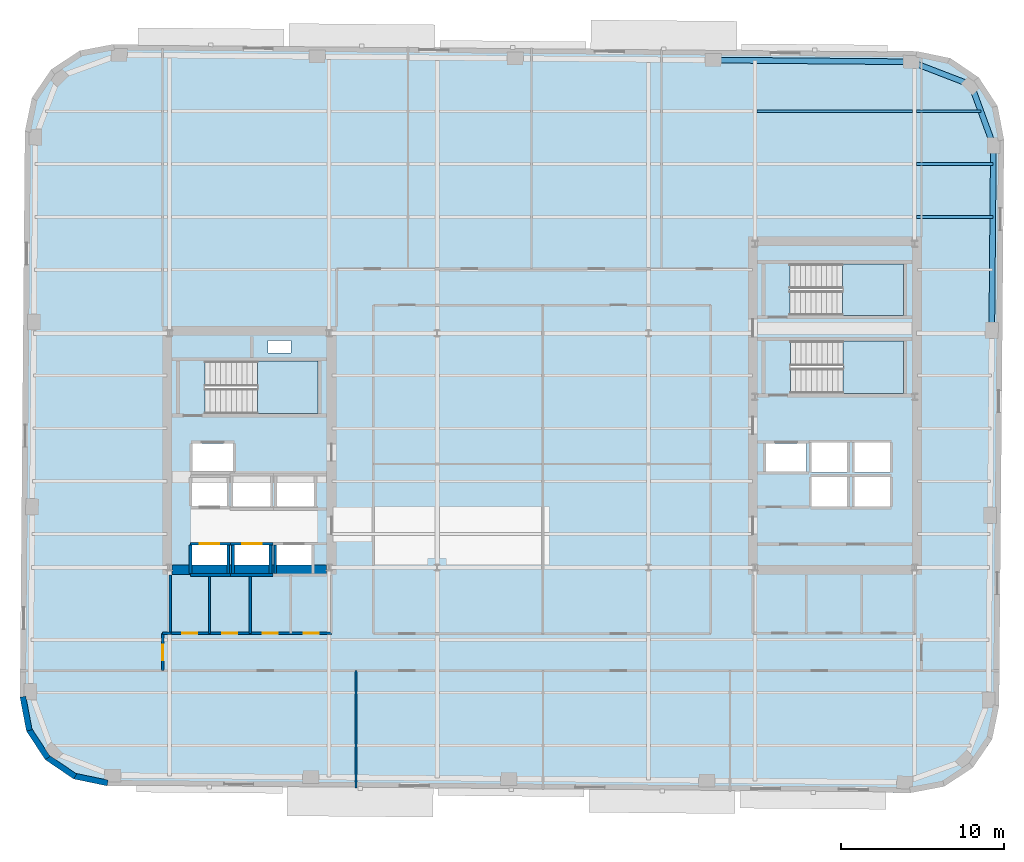
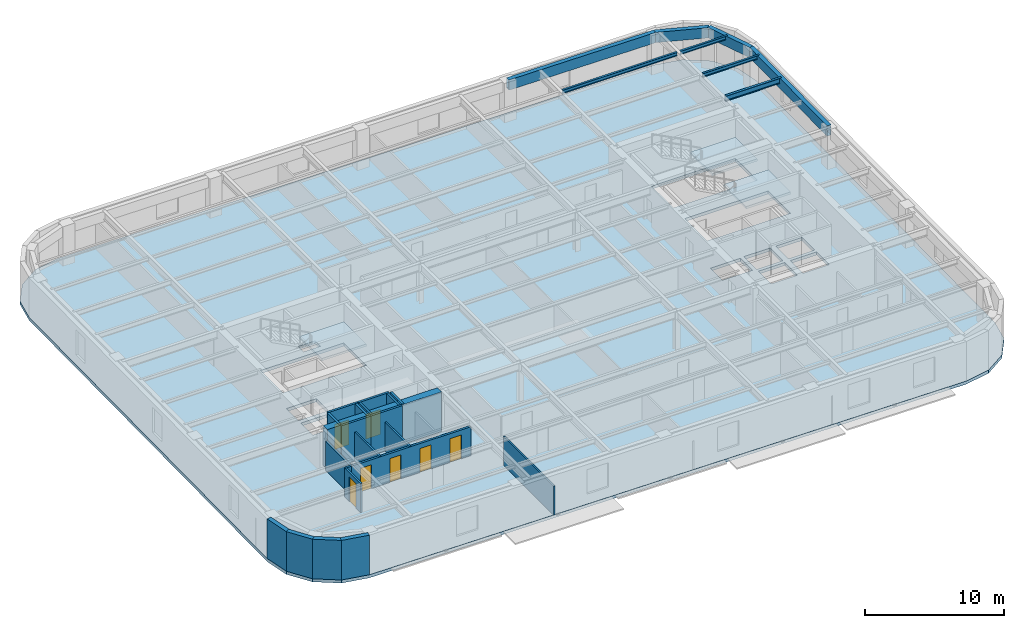
# One storey, part 3 of 11: 21 walls, 8 beams, 7 doors, 4 slabs, 7 openings, 3 elements without a shape of their own.
"""IFC4 building model written with IfcOpenShell, lengths in metres."""

import ifcopenshell
import ifcopenshell.guid

model = None  # the IFC model being written
_history = None  # IfcOwnerHistory: only IFC2X3 demands one
_inside = {}  # id of a spatial element -> (the spatial element, [elements in it])
_under = {}  # id of a project, library or spatial element -> (it, [spatial elements below it])
_declared = {}  # id of a project -> (the project, [libraries it declares])
_typed = {}  # id of a type object -> (the type object, [elements of that type])
_made_of = {}  # id of a material, layer set ... -> (it, [elements and type objects made of it])


def new_model(schema):
    """Start an empty IFC model of exactly this schema.

    Asked for "IFC4X3", IfcOpenShell would pick the latest addendum, in which some entities
    have other attributes; the version numbers below select the first issue.
    IFC2X3 requires an IfcOwnerHistory on every rooted entity: one is made here for all.
    """
    global model, _history
    if schema == "IFC4X3":
        model = ifcopenshell.file(schema_version=(4, 3, 0, 0))
    else:
        model = ifcopenshell.file(schema=schema)
    _inside.clear()
    _under.clear()
    _declared.clear()
    _typed.clear()
    _made_of.clear()
    _history = None
    if model.schema == "IFC2X3":
        org = make("IfcOrganization", Name="unknown")
        user = make(
            "IfcPersonAndOrganization",
            ThePerson=make("IfcPerson", FamilyName="unknown"),
            TheOrganization=org,
        )
        app = make(
            "IfcApplication",
            ApplicationDeveloper=org,
            Version="unknown",
            ApplicationFullName="unknown",
            ApplicationIdentifier="unknown",
        )
        _history = make(
            "IfcOwnerHistory",
            OwningUser=user,
            OwningApplication=app,
            ChangeAction="ADDED",
            CreationDate=0,
        )
    return model


def make(cls, **values):
    """One entity of the class cls with the attributes given. An attribute that is None is left unset."""
    return model.create_entity(
        cls, **{name: value for name, value in values.items() if value is not None}
    )


def rooted(cls, **values):
    """An entity with a GlobalId (a new one), such as an element, a storey or a relation."""
    return make(cls, GlobalId=ifcopenshell.guid.new(), OwnerHistory=_history, **values)


def si_unit(unit_type, name, prefix=None):
    """IfcSIUnit, for example si_unit("LENGTHUNIT", "METRE", prefix="MILLI")."""
    return make("IfcSIUnit", UnitType=unit_type, Prefix=prefix, Name=name)


def assignment(units):
    """IfcUnitAssignment: the units of a project."""
    return None if units is None else make("IfcUnitAssignment", Units=units)


def point(xyz):
    """IfcCartesianPoint."""
    return None if xyz is None else make("IfcCartesianPoint", Coordinates=xyz)


def direction(xyz):
    """IfcDirection."""
    return None if xyz is None else make("IfcDirection", DirectionRatios=xyz)


def frame(location, z_axis=None, x_axis=None):
    """IfcAxis2Placement3D, a coordinate frame: its origin and axes. An axis left out is left unset."""
    return make(
        "IfcAxis2Placement3D",
        Location=point(location),
        Axis=direction(z_axis),
        RefDirection=direction(x_axis),
    )


def frame_2d(location, x_axis=None):
    """IfcAxis2Placement2D, a coordinate frame in the plane: its origin and x axis."""
    return make(
        "IfcAxis2Placement2D", Location=point(location), RefDirection=direction(x_axis)
    )


def origin():
    """The frame at (0, 0, 0) with its axes left unset."""
    return frame((0.0, 0.0, 0.0))


def origin_2d():
    """The frame at (0, 0) in the plane with its x axis left unset."""
    return frame_2d((0.0, 0.0))


def place(relative_to, where):
    """IfcLocalPlacement: puts the frame where relative to a parent placement (None: the world)."""
    return make(
        "IfcLocalPlacement", PlacementRelTo=relative_to, RelativePlacement=where
    )


def context(
    kind, dimensions, precision=None, world=None, true_north=None, identifier=None
):
    """IfcGeometricRepresentationContext, for example the 3D "Model" context."""
    return make(
        "IfcGeometricRepresentationContext",
        ContextIdentifier=identifier,
        ContextType=kind,
        CoordinateSpaceDimension=dimensions,
        Precision=precision,
        WorldCoordinateSystem=world,
        TrueNorth=true_north,
    )


def subcontext(parent, identifier, kind, view, scale=None):
    """IfcGeometricRepresentationSubContext, for example "Body" below "Model"."""
    return make(
        "IfcGeometricRepresentationSubContext",
        ContextIdentifier=identifier,
        ContextType=kind,
        ParentContext=parent,
        TargetScale=scale,
        TargetView=view,
    )


def project(units=None, contexts=None):
    """IfcProject with its units and contexts."""
    return rooted(
        "IfcProject",
        Name="project",
        RepresentationContexts=contexts,
        UnitsInContext=assignment(units),
    )


def spatial(cls, under=None, at=None, **own):
    """A site, building, storey or space (cls), placed at a placement, below another one or the project."""
    s = rooted(cls, ObjectPlacement=at, **own)
    if under is not None:
        _under.setdefault(under.id(), (under, []))[1].append(s)
    return s


def polyline(points):
    """IfcPolyline through the points."""
    return make("IfcPolyline", Points=[point(p) for p in points])


def profile(cls, at=None, kind="AREA", **sizes):
    """A parametric profile (cls). Its sizes go by their IFC names, for example OverallWidth=200.0."""
    return make(cls, ProfileType=kind, Position=at, **sizes)


def rectangle(**sizes):
    """IfcRectangleProfileDef."""
    return profile("IfcRectangleProfileDef", **sizes)


def hollow_rectangle(**sizes):
    """IfcRectangleHollowProfileDef."""
    return profile("IfcRectangleHollowProfileDef", **sizes)


def i_section(**sizes):
    """IfcIShapeProfileDef."""
    return profile("IfcIShapeProfileDef", **sizes)


def outline(outer, holes=None, kind="AREA"):
    """IfcArbitraryClosedProfileDef: a profile drawn as a closed curve; with holes, ...WithVoids."""
    if holes is None:
        return make("IfcArbitraryClosedProfileDef", ProfileType=kind, OuterCurve=outer)
    return make(
        "IfcArbitraryProfileDefWithVoids",
        ProfileType=kind,
        OuterCurve=outer,
        InnerCurves=holes,
    )


def extrude(swept, where, along, depth):
    """IfcExtrudedAreaSolid: the profile swept, set in the frame where, extruded along a direction by depth."""
    return make(
        "IfcExtrudedAreaSolid",
        SweptArea=swept,
        Position=where,
        ExtrudedDirection=direction(along),
        Depth=depth,
    )


def shape(context_of_items, identifier, shape_type, items):
    """IfcShapeRepresentation: the items that make up one representation, for example the "Body"."""
    return make(
        "IfcShapeRepresentation",
        ContextOfItems=context_of_items,
        RepresentationIdentifier=identifier,
        RepresentationType=shape_type,
        Items=items,
    )


def material(Name=None, Category=None):
    """IfcMaterial."""
    return make("IfcMaterial", Name=Name, Category=Category)


def layer(
    of_material, thickness, ventilated=None, Name=None, Category=None, Priority=None
):
    """IfcMaterialLayer: one layer of a wall or slab, of a material (None: an air gap)."""
    return make(
        "IfcMaterialLayer",
        Material=of_material,
        LayerThickness=thickness,
        IsVentilated=ventilated,
        Name=Name,
        Category=Category,
        Priority=Priority,
    )


def layer_set(layers, Name=None):
    """IfcMaterialLayerSet."""
    return make("IfcMaterialLayerSet", MaterialLayers=layers, LayerSetName=Name)


def material_profile(
    of_material, cross_section, Name=None, Category=None, Priority=None
):
    """IfcMaterialProfile: a cross section and its material."""
    return make(
        "IfcMaterialProfile",
        Name=Name,
        Material=of_material,
        Profile=cross_section,
        Priority=Priority,
        Category=Category,
    )


def profile_set(profiles, Name=None, composite=None):
    """IfcMaterialProfileSet."""
    return make(
        "IfcMaterialProfileSet",
        Name=Name,
        MaterialProfiles=profiles,
        CompositeProfile=composite,
    )


def made_of(thing, what):
    """Note that an element or type object is made of a material, layer set ...; save() writes the relation."""
    if what is not None:
        _made_of.setdefault(what.id(), (what, []))[1].append(thing)
    return thing


def type_object(cls, material=None, **own):
    """A type object (cls), such as IfcWallType, which elements share."""
    return made_of(rooted(cls, **own), material)


def element(
    cls,
    number,
    at=None,
    inside=None,
    cuts=None,
    type_object=None,
    material=None,
    context=None,
    identifier="Body",
    shape_type=None,
    held_by="IfcProductDefinitionShape",
    body=None,
    shapes=None,
    **own,
):
    """One element of the class cls, such as IfcWall. Its Tag is "e" and its number.

    at: its placement. inside: the storey or other place that contains it. cuts: it is an
    opening in that element (IfcRelVoidsElement). A single representation is given by context,
    identifier, shape_type and body (its items); several are given by shapes. held_by: the class
    of the entity that holds the representations. save() writes the other relations.
    """
    e = rooted(cls, Tag="e%d" % number, ObjectPlacement=at, **own)
    if body is not None:
        shapes = [shape(context, identifier, shape_type, body)]
    if shapes is not None:
        e.Representation = make(held_by, Representations=shapes)
    if inside is not None:
        _inside.setdefault(inside.id(), (inside, []))[1].append(e)
    if cuts is not None:
        rooted(
            "IfcRelVoidsElement", RelatingBuildingElement=cuts, RelatedOpeningElement=e
        )
    if type_object is not None:
        _typed.setdefault(type_object.id(), (type_object, []))[1].append(e)
    return made_of(e, material)


def fill(opening, filler):
    """IfcRelFillsElement: the door or window that sits in an opening."""
    return rooted(
        "IfcRelFillsElement",
        RelatingOpeningElement=opening,
        RelatedBuildingElement=filler,
    )


def aggregate(whole, parts):
    """IfcRelAggregates: a whole, such as a stair, and the parts it consists of."""
    return rooted("IfcRelAggregates", RelatingObject=whole, RelatedObjects=parts)


def save(model, path):
    """Write the relations noted so far, then the file.

    IfcRelAggregates (storeys below a building ...), IfcRelContainedInSpatialStructure (elements
    in a storey), IfcRelDefinesByType, IfcRelAssociatesMaterial and IfcRelDeclares: one each for
    every whole, place, type object, material and project.
    """
    for whole, parts in _under.values():
        aggregate(whole, parts)
    for where, things in _inside.values():
        rooted(
            "IfcRelContainedInSpatialStructure",
            RelatedElements=things,
            RelatingStructure=where,
        )
    for kind, things in _typed.values():
        rooted("IfcRelDefinesByType", RelatedObjects=things, RelatingType=kind)
    for what, things in _made_of.values():
        rooted("IfcRelAssociatesMaterial", RelatedObjects=things, RelatingMaterial=what)
    for by, libraries in _declared.values():
        rooted("IfcRelDeclares", RelatingContext=by, RelatedDefinitions=libraries)
    model.write(path)


model = new_model("IFC4")

# Units and contexts
model_context = context("Model", 3, precision=1e-05, world=origin(), true_north=direction((0.0, 1.0)))
body_context = subcontext(model_context, "Body", "Model", "MODEL_VIEW")
ifc_project = project(units=[si_unit("LENGTHUNIT", "METRE"), si_unit("AREAUNIT", "SQUARE_METRE"), si_unit("VOLUMEUNIT", "CUBIC_METRE"), si_unit("PLANEANGLEUNIT", "RADIAN"), si_unit("MASSUNIT", "GRAM", prefix="KILO")], contexts=[model_context])

# Site, building, storey
site_placement = place(None, origin())
site = spatial("IfcSite", under=ifc_project, at=site_placement, CompositionType="ELEMENT")
building_placement = place(site_placement, origin())
building = spatial("IfcBuilding", under=site, at=building_placement, Name="Kolvaren Arena Tower", CompositionType="ELEMENT")
storey_placement = place(building_placement, frame((0.0, 0.0, 203.449951171875)))
storey = spatial("IfcBuildingStorey", under=building, at=storey_placement, Name="L49", CompositionType="ELEMENT", Elevation=203.449951171875)

# Beams
ifc_material_1 = material(Name="Steel CSA G40.21 350W", Category="steel")
ifc_material_profile_1 = material_profile(ifc_material_1, i_section(OverallWidth=0.193115234375, OverallDepth=0.462890625, WebThickness=0.0107421875, FlangeThickness=0.0205078125, FilletRadius=0.012939453125, at=origin_2d()), Name="W460x113")
ifc_profile_set_1 = profile_set([ifc_material_profile_1], Name="Steel CSA G40.21 350W")
beam_type_1 = type_object("IfcBeamType", Name="BEAM-F2", PredefinedType="BEAM", material=ifc_profile_set_1)
beam_1_placement = place(storey_placement, frame((60.4775390625, 41.0, 3.24853515625), z_axis=(1.0, 0.0, 0.0), x_axis=(0.0, 1.0, 0.0)))
element("IfcBeam", 1, at=beam_1_placement, inside=storey, type_object=beam_type_1, Name="Composite Floor Beam (L49)", PredefinedType="BEAM", context=body_context, shape_type="SweptSolid", body=[
    extrude(i_section(OverallWidth=0.193115234375, OverallDepth=0.462890625, WebThickness=0.0107421875, FlangeThickness=0.0205078125, FilletRadius=0.012939453125, at=origin_2d()), origin(), (0.0, 0.0, 1.0), 4.681884765625),
])
ifc_material_profile_2 = material_profile(ifc_material_1, i_section(OverallWidth=0.1669921875, OverallDepth=0.31689453125, WebThickness=0.007568359375, FlangeThickness=0.01318359375, FilletRadius=0.010009765625, at=origin_2d()), Name="W310x52")
ifc_profile_set_2 = profile_set([ifc_material_profile_2], Name="Steel CSA G40.21 350W")
beam_type_2 = type_object("IfcBeamType", Name="JOIST-02", PredefinedType="JOIST", material=ifc_profile_set_2)
beam_2_placement = place(storey_placement, frame((60.4775390625, 44.25, 3.321533203125), z_axis=(1.0, 0.0, 0.0), x_axis=(0.0, 1.0, 0.0)))
element("IfcBeam", 2, at=beam_2_placement, inside=storey, type_object=beam_type_2, Name="Composite Floor Joist (L49)", PredefinedType="JOIST", context=body_context, shape_type="SweptSolid", body=[
    extrude(i_section(OverallWidth=0.1669921875, OverallDepth=0.31689453125, WebThickness=0.007568359375, FlangeThickness=0.01318359375, FilletRadius=0.010009765625, at=origin_2d()), origin(), (0.0, 0.0, 1.0), 4.710205078125),
])
beam_3_placement = place(storey_placement, frame((50.677490234375, 47.5, 3.321533203125), z_axis=(1.0, 0.0, 0.0), x_axis=(0.0, 1.0, 0.0)))
element("IfcBeam", 3, at=beam_3_placement, inside=storey, type_object=beam_type_2, Name="Composite Floor Joist (L49)", PredefinedType="JOIST", context=body_context, shape_type="SweptSolid", body=[
    extrude(i_section(OverallWidth=0.1669921875, OverallDepth=0.31689453125, WebThickness=0.007568359375, FlangeThickness=0.01318359375, FilletRadius=0.010009765625, at=origin_2d()), origin(), (0.0, 0.0, 1.0), 9.544921875),
])
beam_4_placement = place(storey_placement, frame((60.4775390625, 47.5, 3.321533203125), z_axis=(1.0, 0.0, 0.0), x_axis=(0.0, 1.0, 0.0)))
element("IfcBeam", 4, at=beam_4_placement, inside=storey, type_object=beam_type_2, Name="Composite Floor Joist (L49)", PredefinedType="JOIST", context=body_context, shape_type="SweptSolid", body=[
    extrude(i_section(OverallWidth=0.1669921875, OverallDepth=0.31689453125, WebThickness=0.007568359375, FlangeThickness=0.01318359375, FilletRadius=0.010009765625, at=origin_2d()), origin(), (0.0, 0.0, 1.0), 3.950439453125),
])
ifc_material_2 = material(Name="Steel CSA G40.21 350WT", Category="steel")
ifc_material_profile_3 = material_profile(ifc_material_2, hollow_rectangle(XDim=0.35009765625, YDim=0.89990234375, WallThickness=0.02001953125, at=origin_2d()), Name="HSS 900x350x20")
ifc_profile_set_3 = profile_set([ifc_material_profile_3], Name="Steel CSA G40.21 350WT")
beam_type_3 = type_object("IfcBeamType", Name="SPAND-01", PredefinedType="SPANDREL", material=ifc_profile_set_3)
beam_5_placement = place(storey_placement, frame((65.098388671875, 34.026123046875, 3.030029296875), z_axis=(0.008741825937, 0.99996178951, 0.0), x_axis=(-0.99996178951, 0.008741825937, 0.0)))
element("IfcBeam", 5, at=beam_5_placement, inside=storey, type_object=beam_type_3, Name="Perimeter Spandrel Beam (L49)", PredefinedType="SPANDREL", context=body_context, shape_type="SweptSolid", body=[
    extrude(hollow_rectangle(XDim=0.35009765625, YDim=0.89990234375, WallThickness=0.02001953125, at=origin_2d()), origin(), (0.0, 0.0, 1.0), 11.36669921875),
])
for number, where, z_axis, x_axis, name in (
    (6, (65.19775390625, 45.392333984375, 3.030029296875), (-0.343059102458, 0.939313819882, 0.0), (-0.939313819882, -0.343059102458, 0.0), "Perimeter Spandrel Beam (L49)"),
    (7, (63.8388671875, 49.113037109375, 3.030029296875), (-0.933189846698, 0.359383792094, 0.0), (-0.359383792094, -0.933189846698, 0.0), "Perimeter Spandrel Beam (L49)"),
):
    element("IfcBeam", number, at=place(storey_placement, frame(where, z_axis=z_axis, x_axis=x_axis)), inside=storey, type_object=beam_type_3, Name=name, PredefinedType="SPANDREL", context=body_context, shape_type="SweptSolid", body=[
        extrude(hollow_rectangle(XDim=0.35009765625, YDim=0.89990234375, WallThickness=0.02001953125, at=origin_2d()), origin(), (0.0, 0.0, 1.0), 3.961181640625),
    ])
beam_6_placement = place(storey_placement, frame((60.142333984375, 50.53662109375, 3.030029296875), z_axis=(-0.99996195503, 0.008722871848, 0.0), x_axis=(-0.008722871848, -0.99996195503, 0.0)))
element("IfcBeam", 8, at=beam_6_placement, inside=storey, type_object=beam_type_3, Name="Perimeter Spandrel Beam (L49)", PredefinedType="SPANDREL", context=body_context, shape_type="SweptSolid", body=[
    extrude(hollow_rectangle(XDim=0.35009765625, YDim=0.89990234375, WallThickness=0.02001953125, at=origin_2d()), origin(), (0.0, 0.0, 1.0), 12.175048828125),
])

# Stair, slab
ifc_material_3 = material(Name="Concrete 45 MPa", Category="concrete")
stair_type_1 = type_object("IfcStairType", Name="STAIR-CORE-165", PredefinedType="HALF_TURN_STAIR", material=ifc_material_3)
stair_1_placement = place(storey_placement, origin())
stair_1 = element("IfcStair", 9, at=stair_1_placement, inside=storey, type_object=stair_type_1, Name="L49 ST-W1", PredefinedType="HALF_TURN_STAIR")
ifc_layer_1 = layer(ifc_material_3, 0.199951171875)
ifc_layer_set_1 = layer_set([ifc_layer_1], Name="Concrete 45 MPa")
slab_type_1 = type_object("IfcSlabType", Name="SLAB-LAND", PredefinedType="LANDING", material=ifc_layer_set_1)
slab_1_placement = place(storey_placement, frame((0.0, 0.0, 1.675048828125)))
slab_1 = element("IfcSlab", 10, at=slab_1_placement, type_object=slab_type_1, Name="ST-W1 landing 1", PredefinedType="LANDING", context=body_context, shape_type="SweptSolid", body=[
    extrude(outline(polyline([(19.9599609375, 28.89990234375), (23.659912109375, 28.89990234375), (23.659912109375, 32.1298828125), (19.9599609375, 32.1298828125), (19.9599609375, 28.89990234375)])), origin(), (0.0, 0.0, 1.0), 0.199951171875),
])
aggregate(stair_1, [slab_1])

stair_2_placement = place(storey_placement, origin())
stair_2 = element("IfcStair", 11, at=stair_2_placement, inside=storey, type_object=stair_type_1, Name="L49 ST-E1", PredefinedType="HALF_TURN_STAIR")
slab_2_placement = place(storey_placement, frame((0.0, 0.0, 1.675048828125)))
slab_2 = element("IfcSlab", 12, at=slab_2_placement, type_object=slab_type_1, Name="ST-E1 landing 1", PredefinedType="LANDING", context=body_context, shape_type="SweptSolid", body=[
    extrude(outline(polyline([(55.9599609375, 30.14990234375), (59.659912109375, 30.14990234375), (59.659912109375, 33.3798828125), (55.9599609375, 33.3798828125), (55.9599609375, 30.14990234375)])), origin(), (0.0, 0.0, 1.0), 0.199951171875),
])
aggregate(stair_2, [slab_2])

stair_type_2 = type_object("IfcStairType", Name="STAIR-CORE-150", PredefinedType="HALF_TURN_STAIR", material=ifc_material_3)
stair_3_placement = place(storey_placement, origin())
stair_3 = element("IfcStair", 13, at=stair_3_placement, inside=storey, type_object=stair_type_2, Name="L49 ST-E2", PredefinedType="HALF_TURN_STAIR")
slab_3_placement = place(storey_placement, frame((0.0, 0.0, 1.675048828125)))
slab_3 = element("IfcSlab", 14, at=slab_3_placement, type_object=slab_type_1, Name="ST-E2 landing 1", PredefinedType="LANDING", context=body_context, shape_type="SweptSolid", body=[
    extrude(outline(polyline([(55.919921875, 34.949951171875), (59.659912109375, 34.949951171875), (59.659912109375, 38.10009765625), (55.919921875, 38.10009765625), (55.919921875, 34.949951171875)])), origin(), (0.0, 0.0, 1.0), 0.199951171875),
])
aggregate(stair_3, [slab_3])

# Slab
ifc_layer_2 = layer(ifc_material_3, 0.27001953125)
ifc_layer_set_2 = layer_set([ifc_layer_2], Name="Concrete 45 MPa")
slab_type_2 = type_object("IfcSlabType", Name="SLAB-OFF2", PredefinedType="FLOOR", material=ifc_layer_set_2)
slab_4_placement = place(storey_placement, frame((0.0, 0.0, -0.27001953125)))
element("IfcSlab", 15, at=slab_4_placement, inside=storey, type_object=slab_type_2, Name="L49 Primary Structural Slab", PredefinedType="FLOOR", context=body_context, shape_type="SweptSolid", body=[
    extrude(outline(polyline([(60.10009765625, 5.585205078125), (62.170166015625, 5.978271484375), (63.93212890625, 7.133544921875), (65.117919921875, 8.875244140625), (65.547119140625, 10.93798828125), (65.8505859375, 45.73681640625), (65.457763671875, 47.806640625), (64.302490234375, 49.568603515625), (62.560791015625, 50.75439453125), (60.498046875, 51.18359375), (11.099853515625, 51.61474609375), (9.02978515625, 51.2216796875), (7.267822265625, 50.06640625), (6.08203125, 48.32470703125), (5.653076171875, 46.261962890625), (5.349365234375, 11.46337890625), (5.7421875, 9.393310546875), (6.8974609375, 7.63134765625), (8.63916015625, 6.445556640625), (10.701904296875, 6.016357421875), (60.10009765625, 5.585205078125)]), holes=[polyline([(15.93505859375, 19.0849609375), (15.93505859375, 20.81494140625), (18.06494140625, 20.81494140625), (18.06494140625, 19.0849609375), (15.93505859375, 19.0849609375)]), polyline([(18.534912109375, 19.0849609375), (18.534912109375, 20.81494140625), (20.6650390625, 20.81494140625), (20.6650390625, 19.0849609375), (18.534912109375, 19.0849609375)]), polyline([(21.135009765625, 19.0849609375), (21.135009765625, 20.81494140625), (23.264892578125, 20.81494140625), (23.264892578125, 19.0849609375), (21.135009765625, 19.0849609375)]), polyline([(18.4599609375, 23.135009765625), (18.4599609375, 25.06494140625), (20.739990234375, 25.06494140625), (20.739990234375, 23.135009765625), (18.4599609375, 23.135009765625)]), polyline([(21.159912109375, 23.135009765625), (21.159912109375, 25.06494140625), (23.43994140625, 25.06494140625), (23.43994140625, 23.135009765625), (21.159912109375, 23.135009765625)]), polyline([(54.030029296875, 23.18505859375), (54.030029296875, 25.014892578125), (56.2099609375, 25.014892578125), (56.2099609375, 23.18505859375), (54.030029296875, 23.18505859375)]), polyline([(56.669921875, 23.18505859375), (56.669921875, 25.014892578125), (58.85009765625, 25.014892578125), (58.85009765625, 23.18505859375), (56.669921875, 23.18505859375)]), polyline([(15.93505859375, 23.235107421875), (15.93505859375, 24.965087890625), (18.06494140625, 24.965087890625), (18.06494140625, 23.235107421875), (15.93505859375, 23.235107421875)]), polyline([(54.030029296875, 25.284912109375), (54.030029296875, 27.114990234375), (56.2099609375, 27.114990234375), (56.2099609375, 25.284912109375), (54.030029296875, 25.284912109375)]), polyline([(56.669921875, 25.284912109375), (56.669921875, 27.114990234375), (58.85009765625, 27.114990234375), (58.85009765625, 25.284912109375), (56.669921875, 25.284912109375)]), polyline([(15.9599609375, 25.3349609375), (15.9599609375, 27.06494140625), (18.43994140625, 27.06494140625), (18.43994140625, 25.3349609375), (15.9599609375, 25.3349609375)]), polyline([(51.219970703125, 25.3349609375), (51.219970703125, 27.06494140625), (53.699951171875, 27.06494140625), (53.699951171875, 25.3349609375), (51.219970703125, 25.3349609375)]), polyline([(16.735107421875, 28.89990234375), (16.735107421875, 32.1298828125), (23.659912109375, 32.1298828125), (23.659912109375, 28.89990234375), (16.735107421875, 28.89990234375)]), polyline([(52.735107421875, 30.14990234375), (52.735107421875, 33.3798828125), (59.659912109375, 33.3798828125), (59.659912109375, 30.14990234375), (52.735107421875, 30.14990234375)]), polyline([(20.60009765625, 32.6201171875), (20.60009765625, 33.39990234375), (22.0, 33.39990234375), (22.0, 32.6201171875), (20.60009765625, 32.6201171875)]), polyline([(52.695068359375, 34.949951171875), (52.695068359375, 38.10009765625), (59.659912109375, 38.10009765625), (59.659912109375, 34.949951171875), (52.695068359375, 34.949951171875)])]), origin(), (0.0, 0.0, 1.0), 0.27001953125),
])

# Wall, opening, door
ifc_material_4 = material(Name="Gypsum board acoustic assembly", Category="gypsum")
ifc_layer_3 = layer(ifc_material_4, 0.159912109375)
ifc_layer_set_3 = layer_set([ifc_layer_3], Name="Gypsum board acoustic assembly")
wall_type_1 = type_object("IfcWallType", Name="CORR-160", PredefinedType="PARTITIONING", material=ifc_layer_set_3)
wall_1_placement = place(storey_placement, frame((14.1201171875, 13.10009765625, 0.0), z_axis=(0.0, 0.0, 1.0), x_axis=(0.0, 1.0, 0.0)))
wall_1 = element("IfcWall", 16, at=wall_1_placement, inside=storey, type_object=wall_type_1, Name="Interior Partition Wall (L49)", PredefinedType="PARTITIONING", context=body_context, shape_type="SweptSolid", body=[
    extrude(rectangle(XDim=2.2998046875, YDim=0.159912109375, at=frame_2d((1.14990234375, 0.0))), origin(), (0.0, 0.0, 1.0), 2.5400390625),
])
opening_1_placement = place(wall_1_placement, frame((0.64990234375, 0.0, 0.0)))
opening_1 = element("IfcOpeningElement", 17, at=opening_1_placement, cuts=wall_1, Name="Opening D05", PredefinedType="OPENING", context=body_context, shape_type="SweptSolid", body=[
    extrude(rectangle(XDim=0.949951171875, YDim=2.14990234375, at=frame_2d((0.47509765625, 1.074951171875))), frame((0.0, 0.08984375, 0.0), z_axis=(0.0, -1.0, 0.0), x_axis=(1.0, 0.0, 0.0)), (0.0, 0.0, 1.0), 0.179931640625),
])
ifc_material_5 = material(Name="Solid-core oak acoustic office door", Category="wood")
door_type_1 = type_object("IfcDoorType", Name="DOOR-OF-095", OperationType="NOTDEFINED", PredefinedType="DOOR", material=ifc_material_5)
door_1_placement = place(opening_1_placement, origin())
door_1 = element("IfcDoor", 18, at=door_1_placement, inside=storey, type_object=door_type_1, Name="West Wing Office Door (L49)", OperationType="SINGLE_SWING_LEFT", OverallHeight=2.14990234375, OverallWidth=0.949951171875, PredefinedType="DOOR", context=body_context, shape_type="SweptSolid", body=[
    extrude(rectangle(XDim=0.949951171875, YDim=2.14990234375, at=frame_2d((0.47509765625, 1.074951171875))), frame((0.0, 0.02490234375, 0.0), z_axis=(0.0, -1.0, 0.0), x_axis=(1.0, 0.0, 0.0)), (0.0, 0.0, 1.0), 0.050048828125),
])
fill(opening_1, door_1)

# Walls
wall_2_placement = place(storey_placement, frame((14.1201171875, 15.39990234375, 0.0), z_axis=(0.0, 0.0, 1.0), x_axis=(1.0, 0.0, 0.0)))
element("IfcWall", 19, at=wall_2_placement, inside=storey, type_object=wall_type_1, Name="Interior Partition Wall (L49)", PredefinedType="PARTITIONING", context=body_context, shape_type="SweptSolid", body=[
    extrude(rectangle(XDim=0.5, YDim=0.159912109375, at=frame_2d((0.25, 0.0))), origin(), (0.0, 0.0, 1.0), 2.5400390625),
])
ifc_material_6 = material(Name="Concrete 60 MPa", Category="concrete")
ifc_layer_4 = layer(ifc_material_6, 0.60009765625)
ifc_layer_set_4 = layer_set([ifc_layer_4], Name="Concrete 60 MPa")
wall_type_2 = type_object("IfcWallType", Name="CWALL-600", PredefinedType="SHEAR", material=ifc_layer_set_4)
wall_3_placement = place(storey_placement, frame((14.699951171875, 19.300048828125, -0.27001953125), z_axis=(0.0, 0.0, 1.0), x_axis=(1.0, 0.0, 0.0)))
element("IfcWall", 20, at=wall_3_placement, inside=storey, type_object=wall_type_2, Name="Core Shear Wall WC-SOUTH (L49)", PredefinedType="SHEAR", context=body_context, shape_type="SweptSolid", body=[
    extrude(rectangle(XDim=9.5, YDim=0.60009765625, at=frame_2d((4.75, 0.0))), origin(), (0.0, 0.0, 1.0), 3.75),
])
ifc_material_7 = material(Name="Precast concrete C50/60", Category="concrete")
ifc_layer_5 = layer(ifc_material_7, 0.360107421875)
ifc_layer_set_5 = layer_set([ifc_layer_5], Name="Precast concrete C50/60")
wall_type_3 = type_object("IfcWallType", Name="EXT-PIER2", PredefinedType="SOLIDWALL", material=ifc_layer_set_5)
for number, where, z_axis, x_axis, name in (
    (21, (5.919189453125, 9.427001953125, 0.0), (0.0, 0.0, 1.0), (-0.186568933123, 0.982441872679, 0.0), "Exterior Precast Masonry-Frame Wall (L49)"),
    (22, (7.048095703125, 7.72998046875, 0.0), (0.0, 0.0, 1.0), (-0.548319766745, 0.836268756678, 0.0), "Exterior Precast Masonry-Frame Wall (L49)"),
    (23, (8.740478515625, 6.59423828125, 0.0), (0.0, 0.0, 1.0), (-0.826609569219, 0.56277581689, 0.0), "Exterior Precast Masonry-Frame Wall (L49)"),
):
    element("IfcWall", number, at=place(storey_placement, frame(where, z_axis=z_axis, x_axis=x_axis)), inside=storey, type_object=wall_type_3, Name=name, PredefinedType="SOLIDWALL", context=body_context, shape_type="SweptSolid", body=[
        extrude(rectangle(XDim=2.10693359375, YDim=0.360107421875, at=frame_2d((1.053466796875, 0.0))), origin(), (0.0, 0.0, 1.0), 3.47998046875),
    ])
wall_4_placement = place(storey_placement, frame((10.73876953125, 6.192626953125, 0.0), z_axis=(0.0, 0.0, 1.0), x_axis=(-0.979059388908, 0.203574833883, 0.0)))
element("IfcWall", 24, at=wall_4_placement, inside=storey, type_object=wall_type_3, Name="Exterior Precast Masonry-Frame Wall (L49)", PredefinedType="SOLIDWALL", context=body_context, shape_type="SweptSolid", body=[
    extrude(rectangle(XDim=2.107177734375, YDim=0.360107421875, at=frame_2d((1.0537109375, 0.0))), origin(), (0.0, 0.0, 1.0), 3.47998046875),
])
ifc_material_8 = material(Name="Gypsum board partition assembly", Category="gypsum")
ifc_layer_6 = layer(ifc_material_8, 0.135009765625)
ifc_layer_set_6 = layer_set([ifc_layer_6], Name="Gypsum board partition assembly")
wall_type_4 = type_object("IfcWallType", Name="PART-135", PredefinedType="PARTITIONING", material=ifc_layer_set_6)
wall_5_placement = place(storey_placement, frame((26.0, 5.8828125, 0.0), z_axis=(0.0, 0.0, 1.0), x_axis=(0.0, 1.0, 0.0)))
element("IfcWall", 25, at=wall_5_placement, inside=storey, type_object=wall_type_4, Name="Interior Partition Wall (L49)", PredefinedType="PARTITIONING", context=body_context, shape_type="SweptSolid", body=[
    extrude(rectangle(XDim=7.21728515625, YDim=0.135009765625, at=frame_2d((3.608642578125, 0.0))), origin(), (0.0, 0.0, 1.0), 2.5400390625),
])

# Wall, opening, door
ifc_layer_7 = layer(ifc_material_3, 0.25)
ifc_layer_set_7 = layer_set([ifc_layer_7], Name="Concrete 45 MPa")
wall_type_5 = type_object("IfcWallType", Name="SHAFT-250", PredefinedType="SOLIDWALL", material=ifc_layer_set_7)
wall_6_placement = place(storey_placement, frame((15.844970703125, 20.905029296875, 0.0), z_axis=(0.0, 0.0, 1.0), x_axis=(1.0, 0.0, 0.0)))
wall_6 = element("IfcWall", 26, at=wall_6_placement, inside=storey, type_object=wall_type_5, Name="Core Shaft Wall (L49)", PredefinedType="SOLIDWALL", context=body_context, shape_type="SweptSolid", body=[
    extrude(rectangle(XDim=2.455078125, YDim=0.179931640625, at=frame_2d((1.2275390625, 0.0))), origin(), (0.0, 0.0, 1.0), 3.47998046875),
])
opening_2_placement = place(wall_6_placement, frame((0.554931640625, 0.0, 0.0)))
opening_2 = element("IfcOpeningElement", 27, at=opening_2_placement, cuts=wall_6, Name="Opening LD1", PredefinedType="OPENING", context=body_context, shape_type="SweptSolid", body=[
    extrude(rectangle(XDim=1.199951171875, YDim=2.199951171875, at=frame_2d((0.60009765625, 1.10009765625))), frame((0.0, 0.099853515625, 0.0), z_axis=(0.0, -1.0, 0.0), x_axis=(1.0, 0.0, 0.0)), (0.0, 0.0, 1.0), 0.199951171875),
])
ifc_material_9 = material(Name="Stainless steel passenger lift landing door", Category="steel")
door_type_2 = type_object("IfcDoorType", Name="DOOR-LD-120", OperationType="DOUBLE_DOOR_SLIDING", PredefinedType="DOOR", material=ifc_material_9)
door_2_placement = place(opening_2_placement, origin())
door_2 = element("IfcDoor", 28, at=door_2_placement, inside=storey, type_object=door_type_2, Name="Lift EL-MR1 Landing Door (L49)", OperationType="DOUBLE_DOOR_SLIDING", OverallHeight=2.199951171875, OverallWidth=1.199951171875, PredefinedType="DOOR", context=body_context, shape_type="SweptSolid", body=[
    extrude(rectangle(XDim=1.199951171875, YDim=2.199951171875, at=frame_2d((0.60009765625, 1.10009765625))), frame((0.0, 0.02490234375, 0.0), z_axis=(0.0, -1.0, 0.0), x_axis=(1.0, 0.0, 0.0)), (0.0, 0.0, 1.0), 0.050048828125),
])
fill(opening_2, door_2)

# Walls
wall_7_placement = place(storey_placement, frame((15.844970703125, 18.9951171875, 0.0), z_axis=(0.0, 0.0, 1.0), x_axis=(1.0, 0.0, 0.0)))
element("IfcWall", 29, at=wall_7_placement, inside=storey, type_object=wall_type_5, Name="Core Shaft Wall (L49)", PredefinedType="SOLIDWALL", context=body_context, shape_type="SweptSolid", body=[
    extrude(rectangle(XDim=2.455078125, YDim=0.179931640625, at=frame_2d((1.2275390625, 0.0))), origin(), (0.0, 0.0, 1.0), 3.47998046875),
])
for number, where, z_axis, x_axis, name in (
    (30, (15.844970703125, 19.0849609375, 0.0), (0.0, 0.0, 1.0), (0.0, 1.0, 0.0), "Core Shaft Wall (L49)"),
    (31, (18.155029296875, 19.0849609375, 0.0), (0.0, 0.0, 1.0), (0.0, 1.0, 0.0), "Core Shaft Wall (L49)"),
):
    element("IfcWall", number, at=place(storey_placement, frame(where, z_axis=z_axis, x_axis=x_axis)), inside=storey, type_object=wall_type_5, Name=name, PredefinedType="SOLIDWALL", context=body_context, shape_type="SweptSolid", body=[
        extrude(rectangle(XDim=1.72998046875, YDim=0.179931640625, at=frame_2d((0.864990234375, 0.0))), origin(), (0.0, 0.0, 1.0), 3.47998046875),
    ])

# Wall, opening, door
wall_8_placement = place(storey_placement, frame((18.300048828125, 20.905029296875, 0.0), z_axis=(0.0, 0.0, 1.0), x_axis=(1.0, 0.0, 0.0)))
wall_8 = element("IfcWall", 32, at=wall_8_placement, inside=storey, type_object=wall_type_5, Name="Core Shaft Wall (L49)", PredefinedType="SOLIDWALL", context=body_context, shape_type="SweptSolid", body=[
    extrude(rectangle(XDim=2.599853515625, YDim=0.179931640625, at=frame_2d((1.2998046875, 0.0))), origin(), (0.0, 0.0, 1.0), 3.47998046875),
])
opening_3_placement = place(wall_8_placement, frame((0.699951171875, 0.0, 0.0)))
opening_3 = element("IfcOpeningElement", 33, at=opening_3_placement, cuts=wall_8, Name="Opening LD1", PredefinedType="OPENING", context=body_context, shape_type="SweptSolid", body=[
    extrude(rectangle(XDim=1.199951171875, YDim=2.199951171875, at=frame_2d((0.60009765625, 1.10009765625))), frame((0.0, 0.099853515625, 0.0), z_axis=(0.0, -1.0, 0.0), x_axis=(1.0, 0.0, 0.0)), (0.0, 0.0, 1.0), 0.199951171875),
])
door_3_placement = place(opening_3_placement, origin())
door_3 = element("IfcDoor", 34, at=door_3_placement, inside=storey, type_object=door_type_2, Name="Lift EL-MR2 Landing Door (L49)", OperationType="DOUBLE_DOOR_SLIDING", OverallHeight=2.199951171875, OverallWidth=1.199951171875, PredefinedType="DOOR", context=body_context, shape_type="SweptSolid", body=[
    extrude(rectangle(XDim=1.199951171875, YDim=2.199951171875, at=frame_2d((0.60009765625, 1.10009765625))), frame((0.0, 0.02490234375, 0.0), z_axis=(0.0, -1.0, 0.0), x_axis=(1.0, 0.0, 0.0)), (0.0, 0.0, 1.0), 0.050048828125),
])
fill(opening_3, door_3)

# Walls
wall_9_placement = place(storey_placement, frame((18.300048828125, 18.9951171875, 0.0), z_axis=(0.0, 0.0, 1.0), x_axis=(1.0, 0.0, 0.0)))
element("IfcWall", 35, at=wall_9_placement, inside=storey, type_object=wall_type_5, Name="Core Shaft Wall (L49)", PredefinedType="SOLIDWALL", context=body_context, shape_type="SweptSolid", body=[
    extrude(rectangle(XDim=2.599853515625, YDim=0.179931640625, at=frame_2d((1.2998046875, 0.0))), origin(), (0.0, 0.0, 1.0), 3.47998046875),
])
for number, where, z_axis, x_axis, name in (
    (36, (18.445068359375, 19.0849609375, 0.0), (0.0, 0.0, 1.0), (0.0, 1.0, 0.0), "Core Shaft Wall (L49)"),
    (37, (20.7548828125, 19.0849609375, 0.0), (0.0, 0.0, 1.0), (0.0, 1.0, 0.0), "Core Shaft Wall (L49)"),
    (38, (21.044921875, 19.0849609375, 0.0), (0.0, 0.0, 1.0), (0.0, 1.0, 0.0), "Core Shaft Wall (L49)"),
):
    element("IfcWall", number, at=place(storey_placement, frame(where, z_axis=z_axis, x_axis=x_axis)), inside=storey, type_object=wall_type_5, Name=name, PredefinedType="SOLIDWALL", context=body_context, shape_type="SweptSolid", body=[
        extrude(rectangle(XDim=1.72998046875, YDim=0.179931640625, at=frame_2d((0.864990234375, 0.0))), origin(), (0.0, 0.0, 1.0), 3.47998046875),
    ])
ifc_material_10 = material(Name="Moisture-resistant gypsum assembly", Category="gypsum")
ifc_layer_8 = layer(ifc_material_10, 0.14990234375)
ifc_layer_set_8 = layer_set([ifc_layer_8], Name="Moisture-resistant gypsum assembly")
wall_type_6 = type_object("IfcWallType", Name="WETW-150", PredefinedType="PARTITIONING", material=ifc_layer_set_8)
for number, where, z_axis, x_axis, name in (
    (39, (17.0, 15.39990234375, 0.0), (0.0, 0.0, 1.0), (0.0, 1.0, 0.0), "Interior Partition Wall (L49)"),
    (40, (19.5, 15.39990234375, 0.0), (0.0, 0.0, 1.0), (0.0, 1.0, 0.0), "Interior Partition Wall (L49)"),
):
    element("IfcWall", number, at=place(storey_placement, frame(where, z_axis=z_axis, x_axis=x_axis)), inside=storey, type_object=wall_type_6, Name=name, PredefinedType="PARTITIONING", context=body_context, shape_type="SweptSolid", body=[
        extrude(rectangle(XDim=3.580078125, YDim=0.14990234375, at=frame_2d((1.7900390625, 0.0))), origin(), (0.0, 0.0, 1.0), 2.5400390625),
    ])

# Wall, openings, doors
wall_10_placement = place(storey_placement, frame((14.60009765625, 15.39990234375, 0.0), z_axis=(0.0, 0.0, 1.0), x_axis=(1.0, 0.0, 0.0)))
wall_10 = element("IfcWall", 41, at=wall_10_placement, inside=storey, type_object=wall_type_6, Name="Interior Partition Wall (L49)", PredefinedType="PARTITIONING", context=body_context, shape_type="SweptSolid", body=[
    extrude(rectangle(XDim=9.89990234375, YDim=0.179931640625, at=frame_2d((4.949951171875, 0.0))), origin(), (0.0, 0.0, 1.0), 2.5400390625),
])
opening_4_placement = place(wall_10_placement, frame((0.739990234375, 0.0, 0.0)))
opening_4 = element("IfcOpeningElement", 42, at=opening_4_placement, cuts=wall_10, Name="Opening D07", PredefinedType="OPENING", context=body_context, shape_type="SweptSolid", body=[
    extrude(rectangle(XDim=0.919921875, YDim=2.10009765625, at=frame_2d((0.4599609375, 1.050048828125))), frame((0.0, 0.099853515625, 0.0), z_axis=(0.0, -1.0, 0.0), x_axis=(1.0, 0.0, 0.0)), (0.0, 0.0, 1.0), 0.199951171875),
])
opening_5_placement = place(wall_10_placement, frame((3.18994140625, 0.0, 0.0)))
opening_5 = element("IfcOpeningElement", 43, at=opening_5_placement, cuts=wall_10, Name="Opening D07", PredefinedType="OPENING", context=body_context, shape_type="SweptSolid", body=[
    extrude(rectangle(XDim=0.919921875, YDim=2.10009765625, at=frame_2d((0.4599609375, 1.050048828125))), frame((0.0, 0.099853515625, 0.0), z_axis=(0.0, -1.0, 0.0), x_axis=(1.0, 0.0, 0.0)), (0.0, 0.0, 1.0), 0.199951171875),
])
opening_6_placement = place(wall_10_placement, frame((5.68994140625, 0.0, 0.0)))
opening_6 = element("IfcOpeningElement", 44, at=opening_6_placement, cuts=wall_10, Name="Opening D07", PredefinedType="OPENING", context=body_context, shape_type="SweptSolid", body=[
    extrude(rectangle(XDim=0.919921875, YDim=2.10009765625, at=frame_2d((0.4599609375, 1.050048828125))), frame((0.0, 0.099853515625, 0.0), z_axis=(0.0, -1.0, 0.0), x_axis=(1.0, 0.0, 0.0)), (0.0, 0.0, 1.0), 0.199951171875),
])
opening_7_placement = place(wall_10_placement, frame((8.18994140625, 0.0, 0.0)))
opening_7 = element("IfcOpeningElement", 45, at=opening_7_placement, cuts=wall_10, Name="Opening D07", PredefinedType="OPENING", context=body_context, shape_type="SweptSolid", body=[
    extrude(rectangle(XDim=0.919921875, YDim=2.10009765625, at=frame_2d((0.4599609375, 1.050048828125))), frame((0.0, 0.099853515625, 0.0), z_axis=(0.0, -1.0, 0.0), x_axis=(1.0, 0.0, 0.0)), (0.0, 0.0, 1.0), 0.199951171875),
])
ifc_material_11 = material(Name="Laminate universal washroom door", Category="wood")
door_type_3 = type_object("IfcDoorType", Name="DOOR-WC-092", OperationType="NOTDEFINED", PredefinedType="DOOR", material=ifc_material_11)
door_4_placement = place(opening_4_placement, origin())
door_4 = element("IfcDoor", 46, at=door_4_placement, inside=storey, type_object=door_type_3, Name="Cleaner and Janitor Store Door (L49)", OperationType="SINGLE_SWING_LEFT", OverallHeight=2.10009765625, OverallWidth=0.919921875, PredefinedType="DOOR", context=body_context, shape_type="SweptSolid", body=[
    extrude(rectangle(XDim=0.919921875, YDim=2.10009765625, at=frame_2d((0.4599609375, 1.050048828125))), frame((0.0, 0.02490234375, 0.0), z_axis=(0.0, -1.0, 0.0), x_axis=(1.0, 0.0, 0.0)), (0.0, 0.0, 1.0), 0.050048828125),
])
fill(opening_4, door_4)
door_5_placement = place(opening_5_placement, origin())
door_5 = element("IfcDoor", 47, at=door_5_placement, inside=storey, type_object=door_type_3, Name="Universal Barrier-Free Washroom Door (L49)", OperationType="SINGLE_SWING_RIGHT", OverallHeight=2.10009765625, OverallWidth=0.919921875, PredefinedType="DOOR", context=body_context, shape_type="SweptSolid", body=[
    extrude(rectangle(XDim=0.919921875, YDim=2.10009765625, at=frame_2d((0.4599609375, 1.050048828125))), frame((0.0, 0.02490234375, 0.0), z_axis=(0.0, -1.0, 0.0), x_axis=(1.0, 0.0, 0.0)), (0.0, 0.0, 1.0), 0.050048828125),
])
fill(opening_5, door_5)
door_6_placement = place(opening_6_placement, origin())
door_6 = element("IfcDoor", 48, at=door_6_placement, inside=storey, type_object=door_type_3, Name="Women Restroom Door (L49)", OperationType="SINGLE_SWING_LEFT", OverallHeight=2.10009765625, OverallWidth=0.919921875, PredefinedType="DOOR", context=body_context, shape_type="SweptSolid", body=[
    extrude(rectangle(XDim=0.919921875, YDim=2.10009765625, at=frame_2d((0.4599609375, 1.050048828125))), frame((0.0, 0.02490234375, 0.0), z_axis=(0.0, -1.0, 0.0), x_axis=(1.0, 0.0, 0.0)), (0.0, 0.0, 1.0), 0.050048828125),
])
fill(opening_6, door_6)
door_7_placement = place(opening_7_placement, origin())
door_7 = element("IfcDoor", 49, at=door_7_placement, inside=storey, type_object=door_type_3, Name="Men Restroom Door (L49)", OperationType="SINGLE_SWING_RIGHT", OverallHeight=2.10009765625, OverallWidth=0.919921875, PredefinedType="DOOR", context=body_context, shape_type="SweptSolid", body=[
    extrude(rectangle(XDim=0.919921875, YDim=2.10009765625, at=frame_2d((0.4599609375, 1.050048828125))), frame((0.0, 0.02490234375, 0.0), z_axis=(0.0, -1.0, 0.0), x_axis=(1.0, 0.0, 0.0)), (0.0, 0.0, 1.0), 0.050048828125),
])
fill(opening_7, door_7)

# Wall
wall_11_placement = place(storey_placement, frame((14.60009765625, 15.39990234375, 0.0), z_axis=(0.0, 0.0, 1.0), x_axis=(0.0, 1.0, 0.0)))
element("IfcWall", 50, at=wall_11_placement, inside=storey, type_object=wall_type_6, Name="Interior Partition Wall (L49)", PredefinedType="PARTITIONING", context=body_context, shape_type="SweptSolid", body=[
    extrude(rectangle(XDim=3.580078125, YDim=0.14990234375, at=frame_2d((1.7900390625, 0.0))), origin(), (0.0, 0.0, 1.0), 2.5400390625),
])

save(model, "model.ifc")
